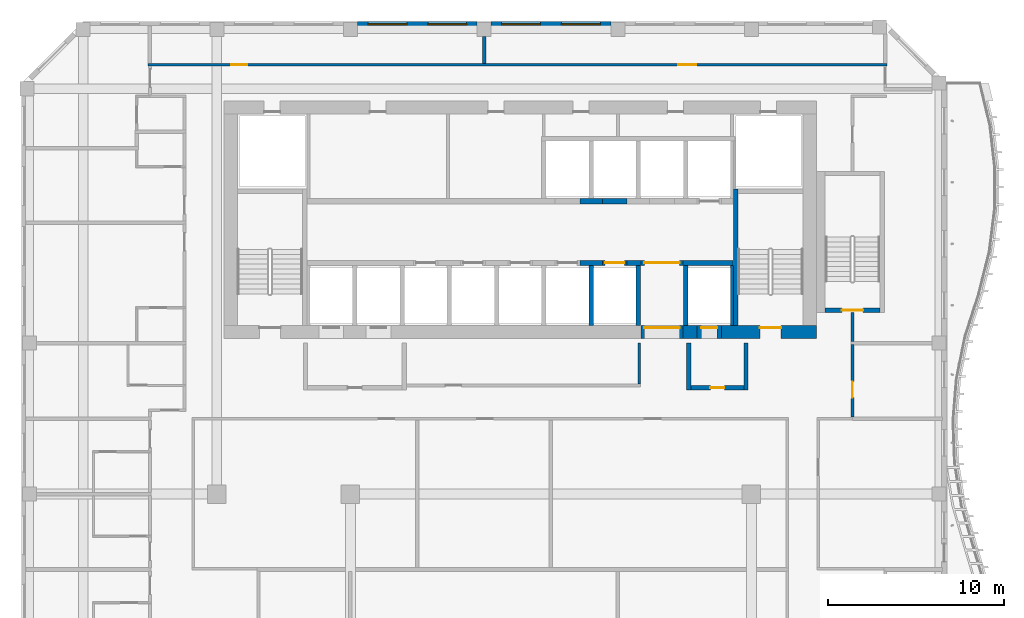
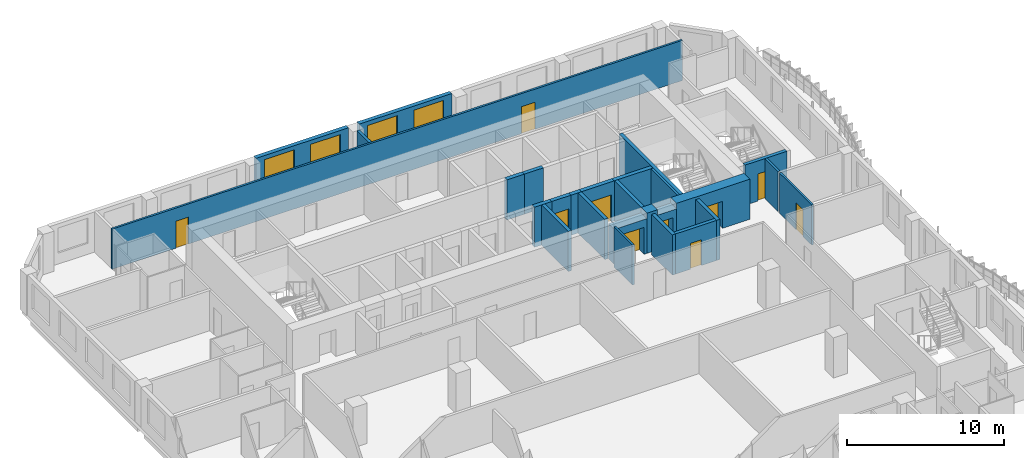
# One storey, part 9 of 22: 27 walls, 10 doors, 4 windows, 14 openings.
"""IFC4 building model written with IfcOpenShell, lengths in metres."""

from ifc_helpers import new_model, si_unit, direction, frame, frame_2d, origin, place, context, subcontext, project, spatial, rectangle, extrude, source, transform, mapped, material, layer, layer_set, type_object, element, fill, save


model = new_model("IFC4")

# Units and contexts
model_context = context("Model", 3, precision=1e-05, world=origin(), true_north=direction((0.0, 1.0)))
body_context = subcontext(model_context, "Body", "Model", "MODEL_VIEW")
ifc_project = project(units=[si_unit("LENGTHUNIT", "METRE"), si_unit("AREAUNIT", "SQUARE_METRE"), si_unit("VOLUMEUNIT", "CUBIC_METRE"), si_unit("PLANEANGLEUNIT", "RADIAN"), si_unit("MASSUNIT", "GRAM", prefix="KILO")], contexts=[model_context])

# Site, building, storey
site_placement = place(None, origin())
site = spatial("IfcSite", under=ifc_project, at=site_placement, CompositionType="ELEMENT")
building_placement = place(site_placement, origin())
building = spatial("IfcBuilding", under=site, at=building_placement, Name="Kilnfold Tower and Market Hall", CompositionType="ELEMENT")
storey_placement = place(building_placement, frame((0.0, 0.0, 188.89990234375)))
storey = spatial("IfcBuildingStorey", under=building, at=storey_placement, Name="L45", CompositionType="ELEMENT", Elevation=188.89990234375)

# Wall, opening, door
ifc_material_1 = material(Name="Gypsum board on steel studs", Category="steel")
ifc_layer_1 = layer(ifc_material_1, 0.14990234375)
ifc_layer_set_1 = layer_set([ifc_layer_1], Name="Gypsum board on steel studs")
wall_type_1 = type_object("IfcWallType", Name="WALL CORRIDOR 150", PredefinedType="PARTITIONING", material=ifc_layer_set_1)
wall_1_placement = place(storey_placement, frame((19.89990234375, 3.80908203125, 0.0), z_axis=(0.0, 0.0, 1.0), x_axis=(0.0, 1.0, 0.0)))
wall_1 = element("IfcWall", 1, at=wall_1_placement, inside=storey, type_object=wall_type_1, Name="Partition LY28.29", PredefinedType="PARTITIONING", context=body_context, shape_type="SweptSolid", body=[
    extrude(rectangle(XDim=4.100830078125, YDim=0.14990234375, at=frame_2d((2.05029296875, 0.0))), origin(), (0.0, 0.0, 1.0), 3.1201171875),
])
opening_1_placement = place(wall_1_placement, frame((1.10009765625, 0.0, 0.0)))
opening_1 = element("IfcOpeningElement", 2, at=opening_1_placement, cuts=wall_1, Name="Opening D2", PredefinedType="OPENING", context=body_context, shape_type="SweptSolid", body=[
    extrude(rectangle(XDim=0.89990234375, YDim=2.10009765625, at=frame_2d((0.449951171875, 1.050048828125))), frame((0.0, 0.0849609375, 0.0), z_axis=(0.0, -1.0, 0.0), x_axis=(1.0, 0.0, 0.0)), (0.0, 0.0, 1.0), 0.169921875),
])
ifc_material_2 = material(Name="Timber veneer door leaf in steel frame", Category="steel")
door_type_1 = type_object("IfcDoorType", Name="DOOR ROOM 900 X2100", OperationType="NOTDEFINED", PredefinedType="DOOR", material=ifc_material_2)
door_1_placement = place(opening_1_placement, origin())
door_1 = element("IfcDoor", 3, at=door_1_placement, inside=storey, type_object=door_type_1, Name="Door D2", OperationType="SINGLE_SWING_RIGHT", OverallHeight=2.10009765625, OverallWidth=0.89990234375, PredefinedType="DOOR", context=body_context, shape_type="SweptSolid", body=[
    extrude(rectangle(XDim=0.89990234375, YDim=2.10009765625, at=frame_2d((0.449951171875, 1.050048828125))), frame((0.0, 0.02490234375, 0.0), z_axis=(0.0, -1.0, 0.0), x_axis=(1.0, 0.0, 0.0)), (0.0, 0.0, 1.0), 0.050048828125),
])
fill(opening_1, door_1)

# Wall
wall_2_placement = place(storey_placement, frame((19.89990234375, 8.090087890625, 0.0), z_axis=(0.0, 0.0, 1.0), x_axis=(0.0, 1.0, 0.0)))
element("IfcWall", 4, at=wall_2_placement, inside=storey, type_object=wall_type_1, Name="Partition LY28.32", PredefinedType="PARTITIONING", context=body_context, shape_type="SweptSolid", body=[
    extrude(rectangle(XDim=1.659912109375, YDim=0.14990234375, at=frame_2d((0.830078125, 0.0))), origin(), (0.0, 0.0, 1.0), 3.1201171875),
])

# Wall, openings, doors
wall_3_placement = place(storey_placement, frame((-20.05908203125, 23.800048828125, 0.0), z_axis=(0.0, 0.0, 1.0), x_axis=(1.0, 0.0, 0.0)))
wall_3 = element("IfcWall", 5, at=wall_3_placement, inside=storey, type_object=wall_type_1, Name="Partition LY28.39", PredefinedType="PARTITIONING", context=body_context, shape_type="SweptSolid", body=[
    extrude(rectangle(XDim=41.9091796875, YDim=0.14990234375, at=frame_2d((20.95458984375, 0.0))), origin(), (0.0, 0.0, 1.0), 3.1201171875),
])
opening_2_placement = place(wall_3_placement, frame((4.718017578125, 0.0, 0.0)))
opening_2 = element("IfcOpeningElement", 6, at=opening_2_placement, cuts=wall_3, Name="Opening D2", PredefinedType="OPENING", context=body_context, shape_type="SweptSolid", body=[
    extrude(rectangle(XDim=0.89990234375, YDim=2.10009765625, at=frame_2d((0.449951171875, 1.050048828125))), frame((0.0, 0.0849609375, 0.0), z_axis=(0.0, -1.0, 0.0), x_axis=(1.0, 0.0, 0.0)), (0.0, 0.0, 1.0), 0.169921875),
])
opening_3_placement = place(wall_3_placement, frame((30.0791015625, 0.0, 0.0)))
opening_3 = element("IfcOpeningElement", 7, at=opening_3_placement, cuts=wall_3, Name="Opening D4", PredefinedType="OPENING", context=body_context, shape_type="SweptSolid", body=[
    extrude(rectangle(XDim=1.0, YDim=2.10009765625, at=frame_2d((0.5, 1.050048828125))), frame((0.0, 0.0849609375, 0.0), z_axis=(0.0, -1.0, 0.0), x_axis=(1.0, 0.0, 0.0)), (0.0, 0.0, 1.0), 0.169921875),
])
door_2_placement = place(opening_2_placement, origin())
door_2 = element("IfcDoor", 8, at=door_2_placement, inside=storey, type_object=door_type_1, Name="Door D2", OperationType="SINGLE_SWING_LEFT", OverallHeight=2.10009765625, OverallWidth=0.89990234375, PredefinedType="DOOR", context=body_context, shape_type="SweptSolid", body=[
    extrude(rectangle(XDim=0.89990234375, YDim=2.10009765625, at=frame_2d((0.449951171875, 1.050048828125))), frame((0.0, 0.02490234375, 0.0), z_axis=(0.0, -1.0, 0.0), x_axis=(1.0, 0.0, 0.0)), (0.0, 0.0, 1.0), 0.050048828125),
])
fill(opening_2, door_2)
ifc_material_3 = material(Name="Timber veneer door leaf in steel frame", Category="steel")
door_type_2 = type_object("IfcDoorType", Name="DOOR SERVICE 1000 X2100", OperationType="NOTDEFINED", PredefinedType="DOOR", material=ifc_material_3)
door_3_placement = place(opening_3_placement, origin())
door_3 = element("IfcDoor", 9, at=door_3_placement, inside=storey, type_object=door_type_2, Name="Door D4", OperationType="SINGLE_SWING_LEFT", OverallHeight=2.10009765625, OverallWidth=1.0, PredefinedType="DOOR", context=body_context, shape_type="SweptSolid", body=[
    extrude(rectangle(XDim=1.0, YDim=2.10009765625, at=frame_2d((0.5, 1.050048828125))), frame((0.0, 0.02490234375, 0.0), z_axis=(0.0, -1.0, 0.0), x_axis=(1.0, 0.0, 0.0)), (0.0, 0.0, 1.0), 0.050048828125),
])
fill(opening_3, door_3)

# Walls
wall_4_placement = place(storey_placement, frame((7.800048828125, 8.0, 0.0), z_axis=(0.0, 0.0, 1.0), x_axis=(0.0, -1.0, 0.0)))
element("IfcWall", 10, at=wall_4_placement, inside=storey, type_object=wall_type_1, Name="Partition LY28.41", PredefinedType="PARTITIONING", context=body_context, shape_type="SweptSolid", body=[
    extrude(rectangle(XDim=2.324951171875, YDim=0.14990234375, at=frame_2d((1.16259765625, 0.0))), origin(), (0.0, 0.0, 1.0), 3.1201171875),
])
ifc_material_4 = material(Name="Gypsum board on steel studs", Category="steel")
ifc_layer_2 = layer(ifc_material_4, 0.199951171875)
ifc_layer_set_2 = layer_set([ifc_layer_2], Name="Gypsum board on steel studs")
wall_type_2 = type_object("IfcWallType", Name="WALL PARTY 200", PredefinedType="PARTITIONING", material=ifc_layer_set_2)
wall_5_placement = place(storey_placement, frame((-1.0, 23.876953125, 0.0), z_axis=(0.0, 0.0, 1.0), x_axis=(0.0, 1.0, 0.0)))
element("IfcWall", 11, at=wall_5_placement, inside=storey, type_object=wall_type_2, Name="Partition LY28.121", PredefinedType="PARTITIONING", context=body_context, shape_type="SweptSolid", body=[
    extrude(rectangle(XDim=1.52294921875, YDim=0.199951171875, at=frame_2d((0.761474609375, 0.0))), origin(), (0.0, 0.0, 1.0), 3.1201171875),
])
ifc_material_5 = material(Name="Concrete C60", Category="concrete")
ifc_layer_3 = layer(ifc_material_5, 0.25)
ifc_layer_set_3 = layer_set([ifc_layer_3], Name="Concrete C60")
wall_type_3 = type_object("IfcWallType", Name="CORE WALL 250 C60", PredefinedType="SHEAR", material=ifc_layer_set_3)
shared_shape_1 = source(origin(), body_context, "Body", "SweptSolid", [
    extrude(rectangle(XDim=7.75, YDim=0.25, at=frame_2d((3.875, 0.0))), origin(), (0.0, 0.0, 1.0), 3.1201171875),
])
wall_6_placement = place(storey_placement, frame((13.27490234375, 9.0, 0.0), z_axis=(0.0, 0.0, 1.0), x_axis=(0.0, 1.0, 0.0)))
element("IfcWall", 12, at=wall_6_placement, inside=storey, type_object=wall_type_3, Name="Stair enclosure ST2", PredefinedType="SHEAR", context=body_context, shape_type="MappedRepresentation", body=[
    mapped(shared_shape_1, transform((0.0, 0.0, 0.0))),
])

# Wall, opening, door
shared_shape_2 = source(origin(), body_context, "Body", "SweptSolid", [
    extrude(rectangle(XDim=3.099853515625, YDim=0.25, at=frame_2d((1.5498046875, 0.0))), origin(), (0.0, 0.0, 1.0), 3.1201171875),
])
wall_7_placement = place(storey_placement, frame((18.35009765625, 9.875, 0.0), z_axis=(0.0, 0.0, 1.0), x_axis=(1.0, 0.0, 0.0)))
wall_7 = element("IfcWall", 13, at=wall_7_placement, inside=storey, type_object=wall_type_3, Name="Stair enclosure ST5", PredefinedType="SHEAR", context=body_context, shape_type="MappedRepresentation", body=[
    mapped(shared_shape_2, transform((0.0, 0.0, 0.0))),
])
opening_4_placement = place(wall_7_placement, frame((0.949951171875, 0.0, 0.0)))
opening_4 = element("IfcOpeningElement", 14, at=opening_4_placement, cuts=wall_7, Name="Opening SD1", PredefinedType="OPENING", context=body_context, shape_type="SweptSolid", body=[
    extrude(rectangle(XDim=1.199951171875, YDim=2.10009765625, at=frame_2d((0.60009765625, 1.050048828125))), frame((0.0, 0.135009765625, 0.0), z_axis=(0.0, -1.0, 0.0), x_axis=(1.0, 0.0, 0.0)), (0.0, 0.0, 1.0), 0.27001953125),
])
ifc_material_6 = material(Name="Steel door set with fire-resisting leaf", Category="steel")
door_type_3 = type_object("IfcDoorType", Name="STAIR FLOOR DOOR 1200X2100", OperationType="NOTDEFINED", PredefinedType="DOOR", material=ifc_material_6)
door_4_placement = place(opening_4_placement, origin())
door_4 = element("IfcDoor", 15, at=door_4_placement, inside=storey, type_object=door_type_3, Name="Exit stair ST5 door", OperationType="DOUBLE_DOOR_SINGLE_SWING", OverallHeight=2.10009765625, OverallWidth=1.199951171875, PredefinedType="DOOR", context=body_context, shape_type="SweptSolid", body=[
    extrude(rectangle(XDim=1.199951171875, YDim=2.10009765625, at=frame_2d((0.60009765625, 1.050048828125))), frame((0.0, 0.02490234375, 0.0), z_axis=(0.0, -1.0, 0.0), x_axis=(1.0, 0.0, 0.0)), (0.0, 0.0, 1.0), 0.050048828125),
])
fill(opening_4, door_4)

# Walls
ifc_material_7 = material(Name="Concrete C60", Category="concrete")
ifc_layer_4 = layer(ifc_material_7, 0.300048828125)
ifc_layer_set_4 = layer_set([ifc_layer_4], Name="Concrete C60")
wall_type_4 = type_object("IfcWallType", Name="CORE WALL 300 C60", PredefinedType="SHEAR", material=ifc_layer_set_4)
shared_shape_3 = source(origin(), body_context, "Body", "SweptSolid", [
    extrude(rectangle(XDim=1.280029296875, YDim=0.300048828125, at=frame_2d((0.64013671875, 0.0))), origin(), (0.0, 0.0, 1.0), 3.1201171875),
])
for number, where, z_axis, x_axis, name in (
    (16, (4.429931640625, 12.550048828125, 0.0), (0.0, 0.0, 1.0), (1.0, 0.0, 0.0), "Core spine wall"),
    (17, (4.429931640625, 16.050048828125, 0.0), (0.0, 0.0, 1.0), (1.0, 0.0, 0.0), "Core spine wall"),
):
    element("IfcWall", number, at=place(storey_placement, frame(where, z_axis=z_axis, x_axis=x_axis)), inside=storey, type_object=wall_type_4, Name=name, PredefinedType="SHEAR", context=body_context, shape_type="MappedRepresentation", body=[
        mapped(shared_shape_3, transform((0.0, 0.0, 0.0))),
    ])
shared_shape_4 = source(origin(), body_context, "Body", "SweptSolid", [
    extrude(rectangle(XDim=0.77978515625, YDim=0.300048828125, at=frame_2d((0.389892578125, 0.0))), origin(), (0.0, 0.0, 1.0), 3.1201171875),
])
wall_8_placement = place(storey_placement, frame((7.110107421875, 12.550048828125, 0.0), z_axis=(0.0, 0.0, 1.0), x_axis=(1.0, 0.0, 0.0)))
element("IfcWall", 18, at=wall_8_placement, inside=storey, type_object=wall_type_4, Name="Core spine wall", PredefinedType="SHEAR", context=body_context, shape_type="MappedRepresentation", body=[
    mapped(shared_shape_4, transform((0.0, 0.0, 0.0))),
])
shared_shape_5 = source(origin(), body_context, "Body", "SweptSolid", [
    extrude(rectangle(XDim=2.820068359375, YDim=0.300048828125, at=frame_2d((1.41015625, 0.0))), origin(), (0.0, 0.0, 1.0), 3.1201171875),
])
wall_9_placement = place(storey_placement, frame((10.2900390625, 12.550048828125, 0.0), z_axis=(0.0, 0.0, 1.0), x_axis=(1.0, 0.0, 0.0)))
element("IfcWall", 19, at=wall_9_placement, inside=storey, type_object=wall_type_4, Name="Core spine wall", PredefinedType="SHEAR", context=body_context, shape_type="MappedRepresentation", body=[
    mapped(shared_shape_5, transform((0.0, 0.0, 0.0))),
])
ifc_material_8 = material(Name="Concrete C60", Category="concrete")
ifc_layer_5 = layer(ifc_material_8, 0.75)
ifc_layer_set_5 = layer_set([ifc_layer_5], Name="Concrete C60")
wall_type_5 = type_object("IfcWallType", Name="CORE WALL 750 C60", PredefinedType="SHEAR", material=ifc_layer_set_5)
shared_shape_6 = source(origin(), body_context, "Body", "SweptSolid", [
    extrude(rectangle(XDim=0.780029296875, YDim=0.75, at=frame_2d((0.39013671875, 0.0))), origin(), (0.0, 0.0, 1.0), 3.1201171875),
])
wall_10_placement = place(storey_placement, frame((10.2900390625, 8.625, 0.0), z_axis=(0.0, 0.0, 1.0), x_axis=(1.0, 0.0, 0.0)))
element("IfcWall", 20, at=wall_10_placement, inside=storey, type_object=wall_type_5, Name="Core outer wall south", PredefinedType="SHEAR", context=body_context, shape_type="MappedRepresentation", body=[
    mapped(shared_shape_6, transform((0.0, 0.0, 0.0))),
])

# Wall, opening, door
shared_shape_7 = source(origin(), body_context, "Body", "SweptSolid", [
    extrude(rectangle(XDim=5.380126953125, YDim=0.75, at=frame_2d((2.68994140625, 0.0))), origin(), (0.0, 0.0, 1.0), 3.1201171875),
])
wall_11_placement = place(storey_placement, frame((12.469970703125, 8.625, 0.0), z_axis=(0.0, 0.0, 1.0), x_axis=(1.0, 0.0, 0.0)))
wall_11 = element("IfcWall", 21, at=wall_11_placement, inside=storey, type_object=wall_type_5, Name="Core outer wall south", PredefinedType="SHEAR", context=body_context, shape_type="MappedRepresentation", body=[
    mapped(shared_shape_7, transform((0.0, 0.0, 0.0))),
])
opening_5_placement = place(wall_11_placement, frame((2.179931640625, 0.0, 0.0)))
opening_5 = element("IfcOpeningElement", 22, at=opening_5_placement, cuts=wall_11, Name="Opening SD1", PredefinedType="OPENING", context=body_context, shape_type="SweptSolid", body=[
    extrude(rectangle(XDim=1.199951171875, YDim=2.10009765625, at=frame_2d((0.60009765625, 1.050048828125))), frame((0.0, 0.385009765625, 0.0), z_axis=(0.0, -1.0, 0.0), x_axis=(1.0, 0.0, 0.0)), (0.0, 0.0, 1.0), 0.77001953125),
])
door_5_placement = place(opening_5_placement, origin())
door_5 = element("IfcDoor", 23, at=door_5_placement, inside=storey, type_object=door_type_3, Name="Exit stair ST2 door", OperationType="DOUBLE_DOOR_SINGLE_SWING", OverallHeight=2.10009765625, OverallWidth=1.199951171875, PredefinedType="DOOR", context=body_context, shape_type="SweptSolid", body=[
    extrude(rectangle(XDim=1.199951171875, YDim=2.10009765625, at=frame_2d((0.60009765625, 1.050048828125))), frame((0.0, 0.27978515625, 0.0), z_axis=(0.0, -1.0, 0.0), x_axis=(1.0, 0.0, 0.0)), (0.0, 0.0, 1.0), 0.050048828125),
])
fill(opening_5, door_5)

# Wall, openings, windows
ifc_material_9 = material(Name="Precast concrete C50/60", Category="concrete")
ifc_layer_6 = layer(ifc_material_9, 0.300048828125)
ifc_layer_set_6 = layer_set([ifc_layer_6], Name="Precast concrete C50/60")
wall_type_6 = type_object("IfcWallType", Name="PRECAST WALL 300", PredefinedType="SOLIDWALL", material=ifc_layer_set_6)
shared_shape_8 = source(origin(), body_context, "Body", "SweptSolid", [
    extrude(rectangle(XDim=6.783447265625, YDim=0.300048828125, at=frame_2d((3.3916015625, 0.0))), origin(), (0.0, 0.0, 1.0), 3.1201171875),
])
wall_12_placement = place(storey_placement, frame((6.183349609375, 26.10009765625, 0.0), z_axis=(0.0, 0.0, 1.0), x_axis=(-1.0, 0.0, 0.0)))
wall_12 = element("IfcWall", 24, at=wall_12_placement, inside=storey, type_object=wall_type_6, Name="External wall L45 N", PredefinedType="SOLIDWALL", context=body_context, shape_type="MappedRepresentation", body=[
    mapped(shared_shape_8, transform((0.0, 0.0, 0.0))),
])
opening_6_placement = place(wall_12_placement, frame((0.595703125, 0.0, 0.85009765625)))
opening_6 = element("IfcOpeningElement", 25, at=opening_6_placement, cuts=wall_12, Name="Opening W2", PredefinedType="OPENING", context=body_context, shape_type="SweptSolid", body=[
    extrude(rectangle(XDim=2.199951171875, YDim=1.949951171875, at=frame_2d((1.10009765625, 0.97509765625))), frame((0.0, 0.16015625, 0.0), z_axis=(0.0, -1.0, 0.0), x_axis=(1.0, 0.0, 0.0)), (0.0, 0.0, 1.0), 0.320068359375),
])
opening_7_placement = place(wall_12_placement, frame((3.987548828125, 0.0, 0.85009765625)))
opening_7 = element("IfcOpeningElement", 26, at=opening_7_placement, cuts=wall_12, Name="Opening W2", PredefinedType="OPENING", context=body_context, shape_type="SweptSolid", body=[
    extrude(rectangle(XDim=2.199951171875, YDim=1.949951171875, at=frame_2d((1.10009765625, 0.97509765625))), frame((0.0, 0.16015625, 0.0), z_axis=(0.0, -1.0, 0.0), x_axis=(1.0, 0.0, 0.0)), (0.0, 0.0, 1.0), 0.320068359375),
])
ifc_material_10 = material(Name="Aluminium frame and double glazing", Category="aluminium")
window_type = type_object("IfcWindowType", Name="WINDOW W2 2200X1950", PartitioningType="SINGLE_PANEL", PredefinedType="WINDOW", material=ifc_material_10)
window_1_placement = place(opening_6_placement, origin())
window_1 = element("IfcWindow", 27, at=window_1_placement, inside=storey, type_object=window_type, Name="Window W2 L45 N-1", OverallHeight=1.949951171875, OverallWidth=2.199951171875, PartitioningType="SINGLE_PANEL", PredefinedType="WINDOW", context=body_context, shape_type="SweptSolid", body=[
    extrude(rectangle(XDim=2.199951171875, YDim=1.949951171875, at=frame_2d((1.10009765625, 0.97509765625))), frame((0.0, 0.030029296875, 0.0), z_axis=(0.0, -1.0, 0.0), x_axis=(1.0, 0.0, 0.0)), (0.0, 0.0, 1.0), 0.06005859375),
])
fill(opening_6, window_1)
window_2_placement = place(opening_7_placement, origin())
window_2 = element("IfcWindow", 28, at=window_2_placement, inside=storey, type_object=window_type, Name="Window W2 L45 N-2", OverallHeight=1.949951171875, OverallWidth=2.199951171875, PartitioningType="SINGLE_PANEL", PredefinedType="WINDOW", context=body_context, shape_type="SweptSolid", body=[
    extrude(rectangle(XDim=2.199951171875, YDim=1.949951171875, at=frame_2d((1.10009765625, 0.97509765625))), frame((0.0, 0.030029296875, 0.0), z_axis=(0.0, -1.0, 0.0), x_axis=(1.0, 0.0, 0.0)), (0.0, 0.0, 1.0), 0.06005859375),
])
fill(opening_7, window_2)

wall_13_placement = place(storey_placement, frame((-1.39990234375, 26.10009765625, 0.0), z_axis=(0.0, 0.0, 1.0), x_axis=(-1.0, 0.0, 0.0)))
wall_13 = element("IfcWall", 29, at=wall_13_placement, inside=storey, type_object=wall_type_6, Name="External wall L45 N", PredefinedType="SOLIDWALL", context=body_context, shape_type="MappedRepresentation", body=[
    mapped(shared_shape_8, transform((0.0, 0.0, 0.0))),
])
opening_8_placement = place(wall_13_placement, frame((0.595703125, 0.0, 0.85009765625)))
opening_8 = element("IfcOpeningElement", 30, at=opening_8_placement, cuts=wall_13, Name="Opening W2", PredefinedType="OPENING", context=body_context, shape_type="SweptSolid", body=[
    extrude(rectangle(XDim=2.199951171875, YDim=1.949951171875, at=frame_2d((1.10009765625, 0.97509765625))), frame((0.0, 0.16015625, 0.0), z_axis=(0.0, -1.0, 0.0), x_axis=(1.0, 0.0, 0.0)), (0.0, 0.0, 1.0), 0.320068359375),
])
opening_9_placement = place(wall_13_placement, frame((3.987548828125, 0.0, 0.85009765625)))
opening_9 = element("IfcOpeningElement", 31, at=opening_9_placement, cuts=wall_13, Name="Opening W2", PredefinedType="OPENING", context=body_context, shape_type="SweptSolid", body=[
    extrude(rectangle(XDim=2.199951171875, YDim=1.949951171875, at=frame_2d((1.10009765625, 0.97509765625))), frame((0.0, 0.16015625, 0.0), z_axis=(0.0, -1.0, 0.0), x_axis=(1.0, 0.0, 0.0)), (0.0, 0.0, 1.0), 0.320068359375),
])
window_3_placement = place(opening_8_placement, origin())
window_3 = element("IfcWindow", 32, at=window_3_placement, inside=storey, type_object=window_type, Name="Window W2 L45 N-1", OverallHeight=1.949951171875, OverallWidth=2.199951171875, PartitioningType="SINGLE_PANEL", PredefinedType="WINDOW", context=body_context, shape_type="SweptSolid", body=[
    extrude(rectangle(XDim=2.199951171875, YDim=1.949951171875, at=frame_2d((1.10009765625, 0.97509765625))), frame((0.0, 0.030029296875, 0.0), z_axis=(0.0, -1.0, 0.0), x_axis=(1.0, 0.0, 0.0)), (0.0, 0.0, 1.0), 0.06005859375),
])
fill(opening_8, window_3)
window_4_placement = place(opening_9_placement, origin())
window_4 = element("IfcWindow", 33, at=window_4_placement, inside=storey, type_object=window_type, Name="Window W2 L45 N-2", OverallHeight=1.949951171875, OverallWidth=2.199951171875, PartitioningType="SINGLE_PANEL", PredefinedType="WINDOW", context=body_context, shape_type="SweptSolid", body=[
    extrude(rectangle(XDim=2.199951171875, YDim=1.949951171875, at=frame_2d((1.10009765625, 0.97509765625))), frame((0.0, 0.030029296875, 0.0), z_axis=(0.0, -1.0, 0.0), x_axis=(1.0, 0.0, 0.0)), (0.0, 0.0, 1.0), 0.06005859375),
])
fill(opening_9, window_4)

# Wall, opening, door
ifc_material_11 = material(Name="Gypsum shaft wall system")
ifc_layer_7 = layer(ifc_material_11, 0.300048828125)
ifc_layer_set_7 = layer_set([ifc_layer_7], Name="Gypsum shaft wall system")
wall_type_7 = type_object("IfcWallType", Name="SHAFT WALL 300", PredefinedType="PARTITIONING", material=ifc_layer_set_7)
shared_shape_9 = source(origin(), body_context, "Body", "SweptSolid", [
    extrude(rectangle(XDim=1.400146484375, YDim=0.300048828125, at=frame_2d((0.7001953125, 0.0))), origin(), (0.0, 0.0, 1.0), 3.1201171875),
])
wall_14_placement = place(storey_placement, frame((5.7099609375, 12.550048828125, 0.0), z_axis=(0.0, 0.0, 1.0), x_axis=(1.0, 0.0, 0.0)))
wall_14 = element("IfcWall", 34, at=wall_14_placement, inside=storey, type_object=wall_type_7, Name="Lift shaft front wall", PredefinedType="PARTITIONING", context=body_context, shape_type="MappedRepresentation", body=[
    mapped(shared_shape_9, transform((0.0, 0.0, 0.0))),
])
opening_10_placement = place(wall_14_placement, frame((0.14990234375, 0.0, 0.0)))
opening_10 = element("IfcOpeningElement", 35, at=opening_10_placement, cuts=wall_14, Name="Opening LD2", PredefinedType="OPENING", context=body_context, shape_type="SweptSolid", body=[
    extrude(rectangle(XDim=1.10009765625, YDim=2.10009765625, at=frame_2d((0.550048828125, 1.050048828125))), frame((0.0, 0.16015625, 0.0), z_axis=(0.0, -1.0, 0.0), x_axis=(1.0, 0.0, 0.0)), (0.0, 0.0, 1.0), 0.320068359375),
])
ifc_material_12 = material(Name="Steel door set with fire-resisting leaf", Category="steel")
door_type_4 = type_object("IfcDoorType", Name="LANDING DOOR 1100X2100", OperationType="NOTDEFINED", PredefinedType="DOOR", material=ifc_material_12)
door_6_placement = place(opening_10_placement, origin())
door_6 = element("IfcDoor", 36, at=door_6_placement, inside=storey, type_object=door_type_4, Name="Landing door MR5", OperationType="DOUBLE_DOOR_SLIDING", OverallHeight=2.10009765625, OverallWidth=1.10009765625, PredefinedType="DOOR", context=body_context, shape_type="SweptSolid", body=[
    extrude(rectangle(XDim=1.10009765625, YDim=2.10009765625, at=frame_2d((0.550048828125, 1.050048828125))), frame((0.0, 0.02490234375, 0.0), z_axis=(0.0, -1.0, 0.0), x_axis=(1.0, 0.0, 0.0)), (0.0, 0.0, 1.0), 0.050048828125),
])
fill(opening_10, door_6)

# Wall
wall_15_placement = place(storey_placement, frame((5.7099609375, 16.050048828125, 0.0), z_axis=(0.0, 0.0, 1.0), x_axis=(1.0, 0.0, 0.0)))
element("IfcWall", 37, at=wall_15_placement, inside=storey, type_object=wall_type_7, Name="Lift shaft front wall", PredefinedType="PARTITIONING", context=body_context, shape_type="MappedRepresentation", body=[
    mapped(shared_shape_9, transform((0.0, 0.0, 0.0))),
])

# Wall, opening, door
shared_shape_10 = source(origin(), body_context, "Body", "SweptSolid", [
    extrude(rectangle(XDim=2.400146484375, YDim=0.300048828125, at=frame_2d((1.2001953125, 0.0))), origin(), (0.0, 0.0, 1.0), 3.1201171875),
])
wall_16_placement = place(storey_placement, frame((7.889892578125, 12.550048828125, 0.0), z_axis=(0.0, 0.0, 1.0), x_axis=(1.0, 0.0, 0.0)))
wall_16 = element("IfcWall", 38, at=wall_16_placement, inside=storey, type_object=wall_type_7, Name="Lift shaft front wall", PredefinedType="PARTITIONING", context=body_context, shape_type="MappedRepresentation", body=[
    mapped(shared_shape_10, transform((0.0, 0.0, 0.0))),
])
opening_11_placement = place(wall_16_placement, frame((0.199951171875, 0.0, 0.0)))
opening_11 = element("IfcOpeningElement", 39, at=opening_11_placement, cuts=wall_16, Name="Opening VD2", PredefinedType="OPENING", context=body_context, shape_type="SweptSolid", body=[
    extrude(rectangle(XDim=2.0, YDim=2.10009765625, at=frame_2d((1.0, 1.050048828125))), frame((0.0, 0.16015625, 0.0), z_axis=(0.0, -1.0, 0.0), x_axis=(1.0, 0.0, 0.0)), (0.0, 0.0, 1.0), 0.320068359375),
])
ifc_material_13 = material(Name="Steel door set with fire-resisting leaf", Category="steel")
door_type_5 = type_object("IfcDoorType", Name="LIFT LOBBY ENTRANCE DOOR 2000X2100", OperationType="NOTDEFINED", PredefinedType="DOOR", material=ifc_material_13)
door_7_placement = place(opening_11_placement, origin())
door_7 = element("IfcDoor", 40, at=door_7_placement, inside=storey, type_object=door_type_5, Name="Lift lobby entrance door", OperationType="DOUBLE_DOOR_SINGLE_SWING", OverallHeight=2.10009765625, OverallWidth=2.0, PredefinedType="DOOR", context=body_context, shape_type="SweptSolid", body=[
    extrude(rectangle(XDim=2.0, YDim=2.10009765625, at=frame_2d((1.0, 1.050048828125))), frame((0.0, 0.02490234375, 0.0), z_axis=(0.0, -1.0, 0.0), x_axis=(1.0, 0.0, 0.0)), (0.0, 0.0, 1.0), 0.050048828125),
])
fill(opening_11, door_7)

# Walls
ifc_material_14 = material(Name="Gypsum shaft wall system")
ifc_layer_8 = layer(ifc_material_14, 0.25)
ifc_layer_set_8 = layer_set([ifc_layer_8], Name="Gypsum shaft wall system")
wall_type_8 = type_object("IfcWallType", Name="LOBBY WALL 250", PredefinedType="PARTITIONING", material=ifc_layer_set_8)
shared_shape_11 = source(origin(), body_context, "Body", "SweptSolid", [
    extrude(rectangle(XDim=2.64990234375, YDim=0.25, at=frame_2d((1.324951171875, 0.0))), origin(), (0.0, 0.0, 1.0), 3.1201171875),
])
for number, where, z_axis, x_axis, name in (
    (41, (10.60498046875, 5.35009765625, 0.0), (0.0, 0.0, 1.0), (0.0, 1.0, 0.0), "Firefighting lobby wall"),
    (42, (13.85498046875, 5.35009765625, 0.0), (0.0, 0.0, 1.0), (0.0, 1.0, 0.0), "Firefighting lobby wall"),
):
    element("IfcWall", number, at=place(storey_placement, frame(where, z_axis=z_axis, x_axis=x_axis)), inside=storey, type_object=wall_type_8, Name=name, PredefinedType="PARTITIONING", context=body_context, shape_type="MappedRepresentation", body=[
        mapped(shared_shape_11, transform((0.0, 0.0, 0.0))),
    ])

# Wall, opening, door
shared_shape_12 = source(origin(), body_context, "Body", "SweptSolid", [
    extrude(rectangle(XDim=3.0, YDim=0.25, at=frame_2d((1.5, 0.0))), origin(), (0.0, 0.0, 1.0), 3.1201171875),
])
wall_17_placement = place(storey_placement, frame((10.72998046875, 5.47509765625, 0.0), z_axis=(0.0, 0.0, 1.0), x_axis=(1.0, 0.0, 0.0)))
wall_17 = element("IfcWall", 43, at=wall_17_placement, inside=storey, type_object=wall_type_8, Name="Firefighting lobby wall", PredefinedType="PARTITIONING", context=body_context, shape_type="MappedRepresentation", body=[
    mapped(shared_shape_12, transform((0.0, 0.0, 0.0))),
])
opening_12_placement = place(wall_17_placement, frame((1.10009765625, 0.0, 0.0)))
opening_12 = element("IfcOpeningElement", 44, at=opening_12_placement, cuts=wall_17, Name="Opening VD1", PredefinedType="OPENING", context=body_context, shape_type="SweptSolid", body=[
    extrude(rectangle(XDim=0.800048828125, YDim=2.0, at=frame_2d((0.39990234375, 1.0))), frame((0.0, 0.135009765625, 0.0), z_axis=(0.0, -1.0, 0.0), x_axis=(1.0, 0.0, 0.0)), (0.0, 0.0, 1.0), 0.27001953125),
])
ifc_material_15 = material(Name="Steel door set with fire-resisting leaf", Category="steel")
door_type_6 = type_object("IfcDoorType", Name="FIREFIGHTING LOBBY DOOR 800X2000", OperationType="NOTDEFINED", PredefinedType="DOOR", material=ifc_material_15)
door_8_placement = place(opening_12_placement, origin())
door_8 = element("IfcDoor", 45, at=door_8_placement, inside=storey, type_object=door_type_6, Name="Firefighting lobby door", OperationType="SINGLE_SWING_RIGHT", OverallHeight=2.0, OverallWidth=0.800048828125, PredefinedType="DOOR", context=body_context, shape_type="SweptSolid", body=[
    extrude(rectangle(XDim=0.800048828125, YDim=2.0, at=frame_2d((0.39990234375, 1.0))), frame((0.0, 0.02490234375, 0.0), z_axis=(0.0, -1.0, 0.0), x_axis=(1.0, 0.0, 0.0)), (0.0, 0.0, 1.0), 0.050048828125),
])
fill(opening_12, door_8)

# Walls
ifc_material_16 = material(Name="Gypsum shaft wall system")
ifc_layer_9 = layer(ifc_material_16, 0.25)
ifc_layer_set_9 = layer_set([ifc_layer_9], Name="Gypsum shaft wall system")
wall_type_9 = type_object("IfcWallType", Name="SHAFT WALL 250", PredefinedType="PARTITIONING", material=ifc_layer_set_9)
shared_shape_13 = source(origin(), body_context, "Body", "SweptSolid", [
    extrude(rectangle(XDim=3.39990234375, YDim=0.25, at=frame_2d((1.699951171875, 0.0))), origin(), (0.0, 0.0, 1.0), 3.1201171875),
])
for number, where, z_axis, x_axis, name in (
    (46, (10.429931640625, 9.0, 0.0), (0.0, 0.0, 1.0), (0.0, 1.0, 0.0), "Lift shaft wall"),
    (47, (5.070068359375, 9.0, 0.0), (0.0, 0.0, 1.0), (0.0, 1.0, 0.0), "Lift shaft wall"),
    (48, (7.75, 9.0, 0.0), (0.0, 0.0, 1.0), (0.0, 1.0, 0.0), "Lift shaft wall"),
):
    element("IfcWall", number, at=place(storey_placement, frame(where, z_axis=z_axis, x_axis=x_axis)), inside=storey, type_object=wall_type_9, Name=name, PredefinedType="PARTITIONING", context=body_context, shape_type="MappedRepresentation", body=[
        mapped(shared_shape_13, transform((0.0, 0.0, 0.0))),
    ])
ifc_material_17 = material(Name="Gypsum shaft wall system")
ifc_layer_10 = layer(ifc_material_17, 0.1650390625)
ifc_layer_set_10 = layer_set([ifc_layer_10], Name="Gypsum shaft wall system")
wall_type_10 = type_object("IfcWallType", Name="SHAFT WALL 165", PredefinedType="PARTITIONING", material=ifc_layer_set_10)
shared_shape_14 = source(origin(), body_context, "Body", "SweptSolid", [
    extrude(rectangle(XDim=3.39990234375, YDim=0.1650390625, at=frame_2d((1.699951171875, 0.0))), origin(), (0.0, 0.0, 1.0), 3.1201171875),
])
wall_18_placement = place(storey_placement, frame((13.0673828125, 9.0, 0.0), z_axis=(0.0, 0.0, 1.0), x_axis=(0.0, 1.0, 0.0)))
element("IfcWall", 49, at=wall_18_placement, inside=storey, type_object=wall_type_10, Name="Lift shaft wall", PredefinedType="PARTITIONING", context=body_context, shape_type="MappedRepresentation", body=[
    mapped(shared_shape_14, transform((0.0, 0.0, 0.0))),
])

# Wall, opening, door
ifc_material_18 = material(Name="Gypsum shaft wall system")
ifc_layer_11 = layer(ifc_material_18, 0.75)
ifc_layer_set_11 = layer_set([ifc_layer_11], Name="Gypsum shaft wall system")
wall_type_11 = type_object("IfcWallType", Name="LOBBY WALL 750", PredefinedType="PARTITIONING", material=ifc_layer_set_11)
shared_shape_15 = source(origin(), body_context, "Body", "SweptSolid", [
    extrude(rectangle(XDim=1.39990234375, YDim=0.75, at=frame_2d((0.699951171875, 0.0))), origin(), (0.0, 0.0, 1.0), 2.7001953125),
])
wall_19_placement = place(storey_placement, frame((11.070068359375, 8.625, 0.0), z_axis=(0.0, 0.0, 1.0), x_axis=(1.0, 0.0, 0.0)))
wall_19 = element("IfcWall", 50, at=wall_19_placement, inside=storey, type_object=wall_type_11, Name="Core wall infill", PredefinedType="PARTITIONING", context=body_context, shape_type="MappedRepresentation", body=[
    mapped(shared_shape_15, transform((0.0, 0.0, 0.0))),
])
opening_13_placement = place(wall_19_placement, frame((0.25, 0.0, 0.0)))
opening_13 = element("IfcOpeningElement", 51, at=opening_13_placement, cuts=wall_19, Name="Opening LD1", PredefinedType="OPENING", context=body_context, shape_type="SweptSolid", body=[
    extrude(rectangle(XDim=0.89990234375, YDim=2.10009765625, at=frame_2d((0.449951171875, 1.050048828125))), frame((0.0, 0.385009765625, 0.0), z_axis=(0.0, -1.0, 0.0), x_axis=(1.0, 0.0, 0.0)), (0.0, 0.0, 1.0), 0.77001953125),
])
ifc_material_19 = material(Name="Steel door set with fire-resisting leaf", Category="steel")
door_type_7 = type_object("IfcDoorType", Name="FIREFIGHTING LANDING DOOR 900X2100", OperationType="NOTDEFINED", PredefinedType="DOOR", material=ifc_material_19)
door_9_placement = place(opening_13_placement, origin())
door_9 = element("IfcDoor", 52, at=door_9_placement, inside=storey, type_object=door_type_7, Name="Landing door FF3", OperationType="SLIDING_TO_LEFT", OverallHeight=2.10009765625, OverallWidth=0.89990234375, PredefinedType="DOOR", context=body_context, shape_type="SweptSolid", body=[
    extrude(rectangle(XDim=0.89990234375, YDim=2.10009765625, at=frame_2d((0.449951171875, 1.050048828125))), frame((0.0, 0.27978515625, 0.0), z_axis=(0.0, -1.0, 0.0), x_axis=(1.0, 0.0, 0.0)), (0.0, 0.0, 1.0), 0.050048828125),
])
fill(opening_13, door_9)

shared_shape_16 = source(origin(), body_context, "Body", "SweptSolid", [
    extrude(rectangle(XDim=2.400146484375, YDim=0.75, at=frame_2d((1.2001953125, 0.0))), origin(), (0.0, 0.0, 1.0), 2.7001953125),
])
wall_20_placement = place(storey_placement, frame((7.889892578125, 8.625, 0.0), z_axis=(0.0, 0.0, 1.0), x_axis=(1.0, 0.0, 0.0)))
wall_20 = element("IfcWall", 53, at=wall_20_placement, inside=storey, type_object=wall_type_11, Name="Core wall infill", PredefinedType="PARTITIONING", context=body_context, shape_type="MappedRepresentation", body=[
    mapped(shared_shape_16, transform((0.0, 0.0, 0.0))),
])
opening_14_placement = place(wall_20_placement, frame((0.199951171875, 0.0, 0.0)))
opening_14 = element("IfcOpeningElement", 54, at=opening_14_placement, cuts=wall_20, Name="Opening VD2", PredefinedType="OPENING", context=body_context, shape_type="SweptSolid", body=[
    extrude(rectangle(XDim=2.0, YDim=2.10009765625, at=frame_2d((1.0, 1.050048828125))), frame((0.0, 0.385009765625, 0.0), z_axis=(0.0, -1.0, 0.0), x_axis=(1.0, 0.0, 0.0)), (0.0, 0.0, 1.0), 0.77001953125),
])
door_10_placement = place(opening_14_placement, origin())
door_10 = element("IfcDoor", 55, at=door_10_placement, inside=storey, type_object=door_type_5, Name="Lift lobby entrance door", OperationType="DOUBLE_DOOR_SINGLE_SWING", OverallHeight=2.10009765625, OverallWidth=2.0, PredefinedType="DOOR", context=body_context, shape_type="SweptSolid", body=[
    extrude(rectangle(XDim=2.0, YDim=2.10009765625, at=frame_2d((1.0, 1.050048828125))), frame((0.0, 0.27978515625, 0.0), z_axis=(0.0, -1.0, 0.0), x_axis=(1.0, 0.0, 0.0)), (0.0, 0.0, 1.0), 0.050048828125),
])
fill(opening_14, door_10)

save(model, "model.ifc")
